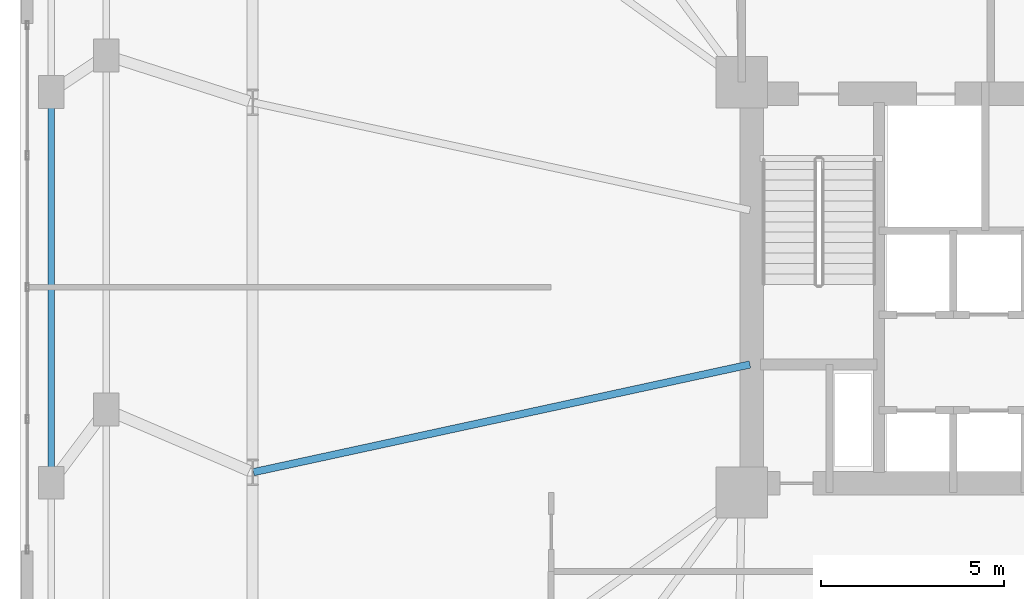
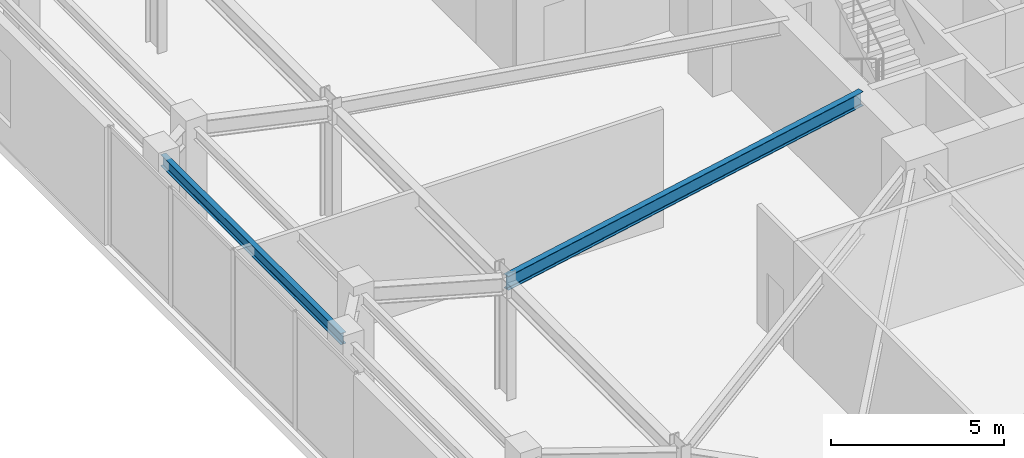
# One storey, part 6 of 23: 2 beams.
"""IFC4 building model written with IfcOpenShell, lengths in metres."""

from ifc_helpers import new_model, si_unit, direction, frame, origin, origin_2d, place, context, subcontext, project, spatial, i_section, extrude, material, material_profile, profile_set, type_object, element, save


model = new_model("IFC4")

# Units and contexts
model_context = context("Model", 3, precision=1e-05, world=origin(), true_north=direction((0.0, 1.0)))
body_context = subcontext(model_context, "Body", "Model", "MODEL_VIEW")
ifc_project = project(units=[si_unit("LENGTHUNIT", "METRE"), si_unit("AREAUNIT", "SQUARE_METRE"), si_unit("VOLUMEUNIT", "CUBIC_METRE"), si_unit("PLANEANGLEUNIT", "RADIAN"), si_unit("MASSUNIT", "GRAM", prefix="KILO")], contexts=[model_context])

# Site, building, storey
site_placement = place(None, origin())
site = spatial("IfcSite", under=ifc_project, at=site_placement, CompositionType="ELEMENT")
building_placement = place(site_placement, origin())
building = spatial("IfcBuilding", under=site, at=building_placement, Name="Qobustan Lattice House", CompositionType="ELEMENT")
storey_placement = place(building_placement, frame((0.0, 0.0, 9.0)))
storey = spatial("IfcBuildingStorey", under=building, at=storey_placement, Name="L02", CompositionType="ELEMENT", Elevation=9.0)

# Beams
ifc_material_1 = material(Name="Steel S355", Category="steel")
ifc_material_profile_1 = material_profile(ifc_material_1, i_section(OverallWidth=0.199951171875, OverallDepth=0.5, WebThickness=0.01025390625, FlangeThickness=0.01611328125, FilletRadius=0.02099609375, at=origin_2d()), Name="IPE500")
ifc_profile_set_1 = profile_set([ifc_material_profile_1], Name="Steel S355")
beam_type_1 = type_object("IfcBeamType", Name="BM-FLG-IPE500", PredefinedType="USERDEFINED", material=ifc_profile_set_1)
beam_1_placement = place(storey_placement, frame((-32.12548828125, -5.044677734375, 3.919921875), z_axis=(0.97727240275, 0.211987383643, 0.0), x_axis=(-0.211987383643, 0.97727240275, 0.0)))
element("IfcBeam", 1, at=beam_1_placement, inside=storey, type_object=beam_type_1, Name="L02 primary floor girder RAD-W3", ObjectType="GIRDER", PredefinedType="USERDEFINED", context=body_context, shape_type="SweptSolid", body=[
    extrude(i_section(OverallWidth=0.199951171875, OverallDepth=0.5, WebThickness=0.01025390625, FlangeThickness=0.01611328125, FilletRadius=0.02099609375, at=origin_2d()), origin(), (0.0, 0.0, 1.0), 13.8662109375),
])
ifc_material_2 = material(Name="Steel S355", Category="steel")
ifc_material_profile_2 = material_profile(ifc_material_2, i_section(OverallWidth=0.179931640625, OverallDepth=0.39990234375, WebThickness=0.008544921875, FlangeThickness=0.013427734375, FilletRadius=0.02099609375, at=origin_2d()), Name="IPE400")
ifc_profile_set_2 = profile_set([ifc_material_profile_2], Name="Steel S355")
beam_type_2 = type_object("IfcBeamType", Name="BM-SPD-IPE400", PredefinedType="SPANDREL", material=ifc_profile_set_2)
beam_2_placement = place(storey_placement, frame((-37.64990234375, -5.21337890625, 3.969970703125), z_axis=(0.0, 1.0, 0.0), x_axis=(-1.0, 0.0, 0.0)))
element("IfcBeam", 2, at=beam_2_placement, inside=storey, type_object=beam_type_2, Name="L02 lower podium spandrel PWL2-PWL3", PredefinedType="SPANDREL", context=body_context, shape_type="SweptSolid", body=[
    extrude(i_section(OverallWidth=0.179931640625, OverallDepth=0.39990234375, WebThickness=0.008544921875, FlangeThickness=0.013427734375, FilletRadius=0.02099609375, at=origin_2d()), origin(), (0.0, 0.0, 1.0), 10.4267578125),
])

save(model, "model.ifc")
